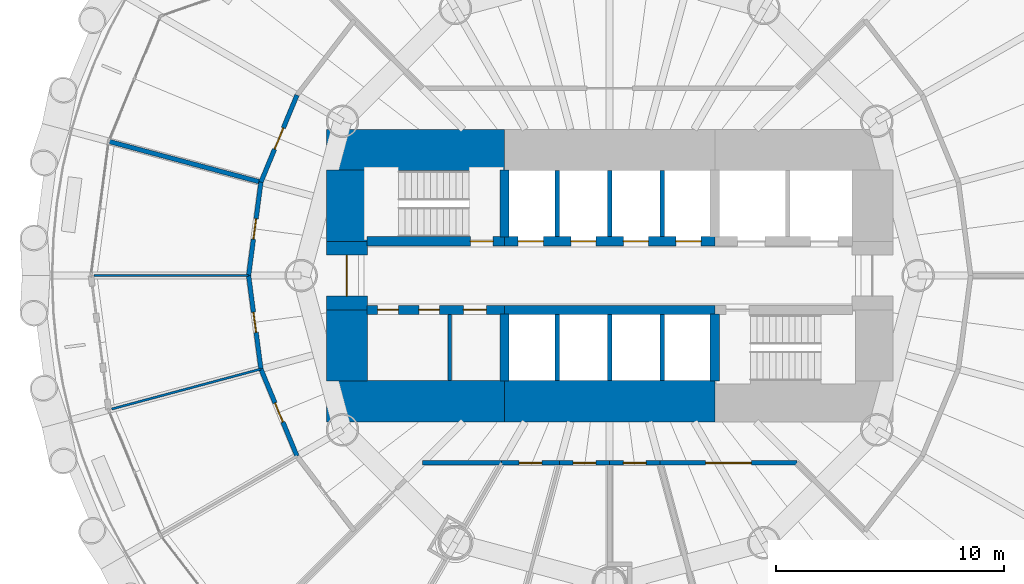
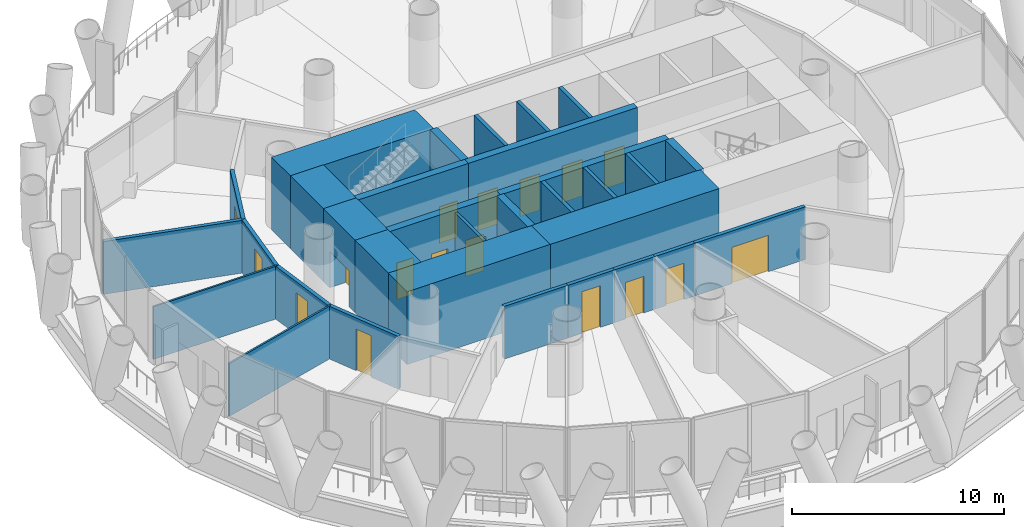
# One storey, part 9 of 14: 32 walls, 17 doors, 17 openings.
"""IFC4 building model written with IfcOpenShell, lengths in metres."""

from ifc_helpers import new_model, si_unit, direction, frame, frame_2d, origin, place, context, subcontext, project, spatial, rectangle, extrude, material, layer, layer_set, type_object, element, fill, save


model = new_model("IFC4")

# Units and contexts
model_context = context("Model", 3, precision=1e-05, world=origin(), true_north=direction((0.0, 1.0)))
body_context = subcontext(model_context, "Body", "Model", "MODEL_VIEW")
ifc_project = project(units=[si_unit("LENGTHUNIT", "METRE"), si_unit("AREAUNIT", "SQUARE_METRE"), si_unit("VOLUMEUNIT", "CUBIC_METRE"), si_unit("PLANEANGLEUNIT", "RADIAN"), si_unit("MASSUNIT", "GRAM", prefix="KILO")], contexts=[model_context])

# Site, building, storey
site_placement = place(None, origin())
site = spatial("IfcSite", under=ifc_project, at=site_placement, CompositionType="ELEMENT")
building_placement = place(site_placement, origin())
building = spatial("IfcBuilding", under=site, at=building_placement, Name="Qaws Media Tower", CompositionType="ELEMENT")
storey_placement = place(building_placement, frame((0.0, 0.0, 59.60009765625)))
storey = spatial("IfcBuildingStorey", under=building, at=storey_placement, Name="L12", CompositionType="ELEMENT", Elevation=59.60009765625)

# Wall, opening, door
ifc_material_1 = material(Name="Concrete C60/75", Category="concrete")
ifc_layer_1 = layer(ifc_material_1, 0.39990234375)
ifc_layer_set_1 = layer_set([ifc_layer_1], Name="Core inner wall 400")
wall_type_1 = type_object("IfcWallType", Name="Core inner wall 400", PredefinedType="SHEAR", material=ifc_layer_set_1)
wall_1_placement = place(storey_placement, frame((49.3798828125, 51.5, 0.0), z_axis=(0.0, 0.0, 1.0), x_axis=(1.0, 0.0, 0.0)))
wall_1 = element("IfcWall", 1, at=wall_1_placement, inside=storey, type_object=wall_type_1, Name="W311 SW4 core wall SPNW L12", PredefinedType="SHEAR", context=body_context, shape_type="SweptSolid", body=[
    extrude(rectangle(XDim=6.02001953125, YDim=0.39990234375, at=frame_2d((3.010009765625, 0.0))), origin(), (0.0, 0.0, 1.0), 4.199951171875),
])
opening_1_placement = place(wall_1_placement, frame((4.52001953125, 0.0, 0.0)))
opening_1 = element("IfcOpeningElement", 2, at=opening_1_placement, cuts=wall_1, Name="Opening D1", PredefinedType="OPENING", context=body_context, shape_type="SweptSolid", body=[
    extrude(rectangle(XDim=1.0, YDim=2.10009765625, at=frame_2d((0.5, 1.050048828125))), frame((0.0, 0.2099609375, 0.0), z_axis=(0.0, -1.0, 0.0), x_axis=(1.0, 0.0, 0.0)), (0.0, 0.0, 1.0), 0.419921875),
])
ifc_material_2 = material(Name="Steel, fire rated", Category="steel")
door_type_1 = type_object("IfcDoorType", Name="Stair door 1000 FD120", OperationType="SINGLE_SWING_LEFT", PredefinedType="DOOR", material=ifc_material_2)
door_1_placement = place(opening_1_placement, origin())
door_1 = element("IfcDoor", 3, at=door_1_placement, inside=storey, type_object=door_type_1, Name="D1 stair S1 door L12 in wall W311", OperationType="SINGLE_SWING_LEFT", OverallHeight=2.10009765625, OverallWidth=1.0, PredefinedType="DOOR", context=body_context, shape_type="SweptSolid", body=[
    extrude(rectangle(XDim=1.0, YDim=2.10009765625, at=frame_2d((0.5, 1.050048828125))), frame((0.0, 0.02490234375, 0.0), z_axis=(0.0, -1.0, 0.0), x_axis=(1.0, 0.0, 0.0)), (0.0, 0.0, 1.0), 0.050048828125),
])
fill(opening_1, door_1)

# Wall, openings, doors
wall_2_placement = place(storey_placement, frame((55.39990234375, 51.5, 0.0), z_axis=(0.0, 0.0, 1.0), x_axis=(1.0, 0.0, 0.0)))
wall_2 = element("IfcWall", 4, at=wall_2_placement, inside=storey, type_object=wall_type_1, Name="W314 SW4 core wall SPN L12", PredefinedType="SHEAR", context=body_context, shape_type="SweptSolid", body=[
    extrude(rectangle(XDim=9.2001953125, YDim=0.39990234375, at=frame_2d((4.60009765625, 0.0))), origin(), (0.0, 0.0, 1.0), 4.199951171875),
])
opening_2_placement = place(wall_2_placement, frame((0.60009765625, 0.0, 0.0)))
opening_2 = element("IfcOpeningElement", 5, at=opening_2_placement, cuts=wall_2, Name="Opening LD", PredefinedType="OPENING", context=body_context, shape_type="SweptSolid", body=[
    extrude(rectangle(XDim=1.10009765625, YDim=2.10009765625, at=frame_2d((0.550048828125, 1.050048828125))), frame((0.0, 0.2099609375, 0.0), z_axis=(0.0, -1.0, 0.0), x_axis=(1.0, 0.0, 0.0)), (0.0, 0.0, 1.0), 0.419921875),
])
opening_3_placement = place(wall_2_placement, frame((2.89990234375, 0.0, 0.0)))
opening_3 = element("IfcOpeningElement", 6, at=opening_3_placement, cuts=wall_2, Name="Opening LD", PredefinedType="OPENING", context=body_context, shape_type="SweptSolid", body=[
    extrude(rectangle(XDim=1.10009765625, YDim=2.10009765625, at=frame_2d((0.550048828125, 1.050048828125))), frame((0.0, 0.2099609375, 0.0), z_axis=(0.0, -1.0, 0.0), x_axis=(1.0, 0.0, 0.0)), (0.0, 0.0, 1.0), 0.419921875),
])
opening_4_placement = place(wall_2_placement, frame((5.199951171875, 0.0, 0.0)))
opening_4 = element("IfcOpeningElement", 7, at=opening_4_placement, cuts=wall_2, Name="Opening LD", PredefinedType="OPENING", context=body_context, shape_type="SweptSolid", body=[
    extrude(rectangle(XDim=1.10009765625, YDim=2.10009765625, at=frame_2d((0.550048828125, 1.050048828125))), frame((0.0, 0.2099609375, 0.0), z_axis=(0.0, -1.0, 0.0), x_axis=(1.0, 0.0, 0.0)), (0.0, 0.0, 1.0), 0.419921875),
])
opening_5_placement = place(wall_2_placement, frame((7.5, 0.0, 0.0)))
opening_5 = element("IfcOpeningElement", 8, at=opening_5_placement, cuts=wall_2, Name="Opening LD", PredefinedType="OPENING", context=body_context, shape_type="SweptSolid", body=[
    extrude(rectangle(XDim=1.10009765625, YDim=2.10009765625, at=frame_2d((0.550048828125, 1.050048828125))), frame((0.0, 0.2099609375, 0.0), z_axis=(0.0, -1.0, 0.0), x_axis=(1.0, 0.0, 0.0)), (0.0, 0.0, 1.0), 0.419921875),
])
ifc_material_3 = material(Name="Steel, fire rated", Category="steel")
door_type_2 = type_object("IfcDoorType", Name="Lift landing door 1100", OperationType="SLIDING_TO_LEFT", PredefinedType="DOOR", material=ifc_material_3)
door_2_placement = place(opening_2_placement, origin())
door_2 = element("IfcDoor", 9, at=door_2_placement, inside=storey, type_object=door_type_2, Name="P1 landing door L12 in wall W314", OperationType="SLIDING_TO_LEFT", OverallHeight=2.10009765625, OverallWidth=1.10009765625, PredefinedType="DOOR", context=body_context, shape_type="SweptSolid", body=[
    extrude(rectangle(XDim=1.10009765625, YDim=2.10009765625, at=frame_2d((0.550048828125, 1.050048828125))), frame((0.0, 0.02490234375, 0.0), z_axis=(0.0, -1.0, 0.0), x_axis=(1.0, 0.0, 0.0)), (0.0, 0.0, 1.0), 0.050048828125),
])
fill(opening_2, door_2)
door_3_placement = place(opening_3_placement, origin())
door_3 = element("IfcDoor", 10, at=door_3_placement, inside=storey, type_object=door_type_2, Name="P2 landing door L12 in wall W314", OperationType="SLIDING_TO_LEFT", OverallHeight=2.10009765625, OverallWidth=1.10009765625, PredefinedType="DOOR", context=body_context, shape_type="SweptSolid", body=[
    extrude(rectangle(XDim=1.10009765625, YDim=2.10009765625, at=frame_2d((0.550048828125, 1.050048828125))), frame((0.0, 0.02490234375, 0.0), z_axis=(0.0, -1.0, 0.0), x_axis=(1.0, 0.0, 0.0)), (0.0, 0.0, 1.0), 0.050048828125),
])
fill(opening_3, door_3)
door_4_placement = place(opening_4_placement, origin())
door_4 = element("IfcDoor", 11, at=door_4_placement, inside=storey, type_object=door_type_2, Name="P3 landing door L12 in wall W314", OperationType="SLIDING_TO_LEFT", OverallHeight=2.10009765625, OverallWidth=1.10009765625, PredefinedType="DOOR", context=body_context, shape_type="SweptSolid", body=[
    extrude(rectangle(XDim=1.10009765625, YDim=2.10009765625, at=frame_2d((0.550048828125, 1.050048828125))), frame((0.0, 0.02490234375, 0.0), z_axis=(0.0, -1.0, 0.0), x_axis=(1.0, 0.0, 0.0)), (0.0, 0.0, 1.0), 0.050048828125),
])
fill(opening_4, door_4)
door_5_placement = place(opening_5_placement, origin())
door_5 = element("IfcDoor", 12, at=door_5_placement, inside=storey, type_object=door_type_2, Name="P4 landing door L12 in wall W314", OperationType="SLIDING_TO_LEFT", OverallHeight=2.10009765625, OverallWidth=1.10009765625, PredefinedType="DOOR", context=body_context, shape_type="SweptSolid", body=[
    extrude(rectangle(XDim=1.10009765625, YDim=2.10009765625, at=frame_2d((0.550048828125, 1.050048828125))), frame((0.0, 0.02490234375, 0.0), z_axis=(0.0, -1.0, 0.0), x_axis=(1.0, 0.0, 0.0)), (0.0, 0.0, 1.0), 0.050048828125),
])
fill(opening_5, door_5)

wall_3_placement = place(storey_placement, frame((49.3798828125, 48.5, 0.0), z_axis=(0.0, 0.0, 1.0), x_axis=(1.0, 0.0, 0.0)))
wall_3 = element("IfcWall", 13, at=wall_3_placement, inside=storey, type_object=wall_type_1, Name="W310 SW4 core wall SPSW L12", PredefinedType="SHEAR", context=body_context, shape_type="SweptSolid", body=[
    extrude(rectangle(XDim=6.02001953125, YDim=0.39990234375, at=frame_2d((3.010009765625, 0.0))), origin(), (0.0, 0.0, 1.0), 4.199951171875),
])
opening_6_placement = place(wall_3_placement, frame((0.469970703125, 0.0, 0.0)))
opening_6 = element("IfcOpeningElement", 14, at=opening_6_placement, cuts=wall_3, Name="Opening D25", PredefinedType="OPENING", context=body_context, shape_type="SweptSolid", body=[
    extrude(rectangle(XDim=0.89990234375, YDim=2.10009765625, at=frame_2d((0.449951171875, 1.050048828125))), frame((0.0, 0.2099609375, 0.0), z_axis=(0.0, -1.0, 0.0), x_axis=(1.0, 0.0, 0.0)), (0.0, 0.0, 1.0), 0.419921875),
])
opening_7_placement = place(wall_3_placement, frame((2.27001953125, 0.0, 0.0)))
opening_7 = element("IfcOpeningElement", 15, at=opening_7_placement, cuts=wall_3, Name="Opening D25", PredefinedType="OPENING", context=body_context, shape_type="SweptSolid", body=[
    extrude(rectangle(XDim=0.89990234375, YDim=2.10009765625, at=frame_2d((0.449951171875, 1.050048828125))), frame((0.0, 0.2099609375, 0.0), z_axis=(0.0, -1.0, 0.0), x_axis=(1.0, 0.0, 0.0)), (0.0, 0.0, 1.0), 0.419921875),
])
opening_8_placement = place(wall_3_placement, frame((4.219970703125, 0.0, 0.0)))
opening_8 = element("IfcOpeningElement", 16, at=opening_8_placement, cuts=wall_3, Name="Opening D4", PredefinedType="OPENING", context=body_context, shape_type="SweptSolid", body=[
    extrude(rectangle(XDim=1.0, YDim=2.10009765625, at=frame_2d((0.5, 1.050048828125))), frame((0.0, 0.2099609375, 0.0), z_axis=(0.0, -1.0, 0.0), x_axis=(1.0, 0.0, 0.0)), (0.0, 0.0, 1.0), 0.419921875),
])
ifc_material_4 = material(Name="Timber veneered", Category="wood")
door_type_3 = type_object("IfcDoorType", Name="Accessible WC door 1000", OperationType="SLIDING_TO_LEFT", PredefinedType="DOOR", material=ifc_material_4)
door_6_placement = place(opening_8_placement, origin())
door_6 = element("IfcDoor", 17, at=door_6_placement, inside=storey, type_object=door_type_3, Name="D4 toilet door 3 L12 in wall W310", OperationType="SLIDING_TO_LEFT", OverallHeight=2.10009765625, OverallWidth=1.0, PredefinedType="DOOR", context=body_context, shape_type="SweptSolid", body=[
    extrude(rectangle(XDim=1.0, YDim=2.10009765625, at=frame_2d((0.5, 1.050048828125))), frame((0.0, 0.02490234375, 0.0), z_axis=(0.0, -1.0, 0.0), x_axis=(1.0, 0.0, 0.0)), (0.0, 0.0, 1.0), 0.050048828125),
])
fill(opening_8, door_6)
ifc_material_5 = material(Name="Steel, fire rated", Category="steel")
door_type_4 = type_object("IfcDoorType", Name="Core service door 900", OperationType="SINGLE_SWING_RIGHT", PredefinedType="DOOR", material=ifc_material_5)
door_7_placement = place(opening_6_placement, origin())
door_7 = element("IfcDoor", 18, at=door_7_placement, inside=storey, type_object=door_type_4, Name="D25 toilet door 1 L12 in wall W310", OperationType="SINGLE_SWING_RIGHT", OverallHeight=2.10009765625, OverallWidth=0.89990234375, PredefinedType="DOOR", context=body_context, shape_type="SweptSolid", body=[
    extrude(rectangle(XDim=0.89990234375, YDim=2.10009765625, at=frame_2d((0.449951171875, 1.050048828125))), frame((0.0, 0.02490234375, 0.0), z_axis=(0.0, -1.0, 0.0), x_axis=(1.0, 0.0, 0.0)), (0.0, 0.0, 1.0), 0.050048828125),
])
fill(opening_6, door_7)
door_8_placement = place(opening_7_placement, origin())
door_8 = element("IfcDoor", 19, at=door_8_placement, inside=storey, type_object=door_type_4, Name="D25 toilet door 2 L12 in wall W310", OperationType="SINGLE_SWING_RIGHT", OverallHeight=2.10009765625, OverallWidth=0.89990234375, PredefinedType="DOOR", context=body_context, shape_type="SweptSolid", body=[
    extrude(rectangle(XDim=0.89990234375, YDim=2.10009765625, at=frame_2d((0.449951171875, 1.050048828125))), frame((0.0, 0.02490234375, 0.0), z_axis=(0.0, -1.0, 0.0), x_axis=(1.0, 0.0, 0.0)), (0.0, 0.0, 1.0), 0.050048828125),
])
fill(opening_7, door_8)

# Walls
wall_4_placement = place(storey_placement, frame((55.39990234375, 48.5, 0.0), z_axis=(0.0, 0.0, 1.0), x_axis=(1.0, 0.0, 0.0)))
element("IfcWall", 20, at=wall_4_placement, inside=storey, type_object=wall_type_1, Name="W313 SW4 core wall SPS L12", PredefinedType="SHEAR", context=body_context, shape_type="SweptSolid", body=[
    extrude(rectangle(XDim=9.2001953125, YDim=0.39990234375, at=frame_2d((4.60009765625, 0.0))), origin(), (0.0, 0.0, 1.0), 4.199951171875),
])
for number, where, z_axis, x_axis, name in (
    (21, (55.39990234375, 51.679931640625, 0.0), (0.0, 0.0, 1.0), (0.0, 1.0, 0.0), "W315 SW4 core wall XNW L12"),
    (22, (55.39990234375, 48.320068359375, 0.0), (0.0, 0.0, 1.0), (0.0, -1.0, 0.0), "W312 SW4 core wall XSW L12"),
    (23, (64.60009765625, 48.320068359375, 0.0), (0.0, 0.0, 1.0), (0.0, -1.0, 0.0), "W316 SW4 core wall XSE L12"),
):
    element("IfcWall", number, at=place(storey_placement, frame(where, z_axis=z_axis, x_axis=x_axis)), inside=storey, type_object=wall_type_1, Name=name, PredefinedType="SHEAR", context=body_context, shape_type="SweptSolid", body=[
        extrude(rectangle(XDim=2.940185546875, YDim=0.39990234375, at=frame_2d((1.47021484375, 0.0))), origin(), (0.0, 0.0, 1.0), 4.199951171875),
    ])
ifc_material_6 = material(Name="Concrete C60/75", Category="concrete")
ifc_layer_2 = layer(ifc_material_6, 1.800048828125)
ifc_layer_set_2 = layer_set([ifc_layer_2], Name="Core wall 1800")
wall_type_2 = type_object("IfcWallType", Name="Core wall 1800", PredefinedType="SHEAR", material=ifc_layer_set_2)
for number, where, z_axis, x_axis, name in (
    (24, (47.60009765625, 55.5, 0.0), (0.0, 0.0, 1.0), (1.0, 0.0, 0.0), "W399 SW11 core wall NW L12"),
    (25, (47.60009765625, 44.5, 0.0), (0.0, 0.0, 1.0), (1.0, 0.0, 0.0), "W398 SW11 core wall SW L12"),
):
    element("IfcWall", number, at=place(storey_placement, frame(where, z_axis=z_axis, x_axis=x_axis)), inside=storey, type_object=wall_type_2, Name=name, PredefinedType="SHEAR", context=body_context, shape_type="SweptSolid", body=[
        extrude(rectangle(XDim=7.7998046875, YDim=1.800048828125, at=frame_2d((3.89990234375, 0.0))), origin(), (0.0, 0.0, 1.0), 4.199951171875),
    ])
wall_5_placement = place(storey_placement, frame((55.39990234375, 44.5, 0.0), z_axis=(0.0, 0.0, 1.0), x_axis=(1.0, 0.0, 0.0)))
element("IfcWall", 26, at=wall_5_placement, inside=storey, type_object=wall_type_2, Name="W403 SW11 core wall S L12", PredefinedType="SHEAR", context=body_context, shape_type="SweptSolid", body=[
    extrude(rectangle(XDim=9.2001953125, YDim=1.800048828125, at=frame_2d((4.60009765625, 0.0))), origin(), (0.0, 0.0, 1.0), 4.199951171875),
])
wall_6_placement = place(storey_placement, frame((48.5, 45.3798828125, 0.0), z_axis=(0.0, 0.0, 1.0), x_axis=(0.0, 1.0, 0.0)))
element("IfcWall", 27, at=wall_6_placement, inside=storey, type_object=wall_type_2, Name="W400 SW11 core wall WS L12", PredefinedType="SHEAR", context=body_context, shape_type="SweptSolid", body=[
    extrude(rectangle(XDim=3.1201171875, YDim=1.800048828125, at=frame_2d((1.56005859375, 0.0))), origin(), (0.0, 0.0, 1.0), 4.199951171875),
])

# Wall, opening, door
wall_7_placement = place(storey_placement, frame((48.5, 48.5, 0.0), z_axis=(0.0, 0.0, 1.0), x_axis=(0.0, 1.0, 0.0)))
wall_7 = element("IfcWall", 28, at=wall_7_placement, inside=storey, type_object=wall_type_2, Name="W401 SW11 core wall W L12", PredefinedType="SHEAR", context=body_context, shape_type="SweptSolid", body=[
    extrude(rectangle(XDim=3.0, YDim=1.800048828125, at=frame_2d((1.5, 0.0))), origin(), (0.0, 0.0, 1.0), 4.199951171875),
])
opening_9_placement = place(wall_7_placement, frame((0.60009765625, 0.0, 0.0)))
opening_9 = element("IfcOpeningElement", 29, at=opening_9_placement, cuts=wall_7, Name="Opening D2", PredefinedType="OPENING", context=body_context, shape_type="SweptSolid", body=[
    extrude(rectangle(XDim=1.800048828125, YDim=2.10009765625, at=frame_2d((0.89990234375, 1.050048828125))), frame((0.0, 0.909912109375, 0.0), z_axis=(0.0, -1.0, 0.0), x_axis=(1.0, 0.0, 0.0)), (0.0, 0.0, 1.0), 1.820068359375),
])
ifc_material_7 = material(Name="Steel and glass, fire rated", Category="steel")
door_type_5 = type_object("IfcDoorType", Name="Lobby door pair 1800 FD60", OperationType="DOUBLE_DOOR_DOUBLE_SWING", PredefinedType="DOOR", material=ifc_material_7)
door_9_placement = place(opening_9_placement, origin())
door_9 = element("IfcDoor", 30, at=door_9_placement, inside=storey, type_object=door_type_5, Name="D2 core lobby door W L12 in wall W401", OperationType="DOUBLE_DOOR_DOUBLE_SWING", OverallHeight=2.10009765625, OverallWidth=1.800048828125, PredefinedType="DOOR", context=body_context, shape_type="SweptSolid", body=[
    extrude(rectangle(XDim=1.800048828125, YDim=2.10009765625, at=frame_2d((0.89990234375, 1.050048828125))), frame((0.0, 0.02490234375, 0.0), z_axis=(0.0, -1.0, 0.0), x_axis=(1.0, 0.0, 0.0)), (0.0, 0.0, 1.0), 0.050048828125),
])
fill(opening_9, door_9)

# Walls
wall_8_placement = place(storey_placement, frame((48.5, 51.5, 0.0), z_axis=(0.0, 0.0, 1.0), x_axis=(0.0, 1.0, 0.0)))
element("IfcWall", 31, at=wall_8_placement, inside=storey, type_object=wall_type_2, Name="W402 SW11 core wall WN L12", PredefinedType="SHEAR", context=body_context, shape_type="SweptSolid", body=[
    extrude(rectangle(XDim=3.1201171875, YDim=1.800048828125, at=frame_2d((1.56005859375, 0.0))), origin(), (0.0, 0.0, 1.0), 4.199951171875),
])
ifc_material_8 = material(Name="Gypsum board on 70 metal studs, single layer each side", Category="gypsum")
ifc_layer_3 = layer(ifc_material_8, 0.10009765625)
ifc_layer_set_3 = layer_set([ifc_layer_3], Name="Office stud partition 100")
wall_type_3 = type_object("IfcWallType", Name="Office stud partition 100", PredefinedType="PARTITIONING", material=ifc_layer_set_3)
for number, where, z_axis, x_axis, name in (
    (32, (44.199951171875, 50.0, 0.0), (0.0, 0.0, 1.0), (-1.0, 0.0, 0.0), "W640 IW4 partition L12"),
    (33, (44.73828125, 45.91064453125, 0.0), (0.0, 0.0, 1.0), (-0.965919516119, -0.258842593831, 0.0), "W641 IW4 partition L12"),
):
    element("IfcWall", number, at=place(storey_placement, frame(where, z_axis=z_axis, x_axis=x_axis)), inside=storey, type_object=wall_type_3, Name=name, PredefinedType="PARTITIONING", context=body_context, shape_type="SweptSolid", body=[
        extrude(rectangle(XDim=6.760009765625, YDim=0.10009765625, at=frame_2d((3.3798828125, 0.0))), origin(), (0.0, 0.0, 1.0), 3.039794921875),
    ])

# Wall, opening, door
ifc_material_9 = material(Name="Gypsum board on galvanised metal studs, acoustic double stud, deflection head", Category="gypsum")
ifc_layer_4 = layer(ifc_material_9, 0.199951171875)
ifc_layer_set_4 = layer_set([ifc_layer_4], Name="Room partition 200")
wall_type_4 = type_object("IfcWallType", Name="Room partition 200", PredefinedType="PARTITIONING", material=ifc_layer_set_4)
wall_9_placement = place(storey_placement, frame((46.31689453125, 42.10009765625, 0.0), z_axis=(0.0, 0.0, 1.0), x_axis=(-0.382731667114, 0.923859551549, 0.0)))
wall_9 = element("IfcWall", 34, at=wall_9_placement, inside=storey, type_object=wall_type_4, Name="W946 IW3 partition L12", PredefinedType="PARTITIONING", context=body_context, shape_type="SweptSolid", body=[
    extrude(rectangle(XDim=4.12451171875, YDim=0.199951171875, at=frame_2d((2.062255859375, 0.0))), origin(), (0.0, 0.0, 1.0), 3.039794921875),
])
opening_10_placement = place(wall_9_placement, frame((1.6123046875, 0.0, 0.0)))
opening_10 = element("IfcOpeningElement", 35, at=opening_10_placement, cuts=wall_9, Name="Opening D12", PredefinedType="OPENING", context=body_context, shape_type="SweptSolid", body=[
    extrude(rectangle(XDim=0.89990234375, YDim=2.39990234375, at=frame_2d((0.449951171875, 1.199951171875))), frame((0.0, 0.10986328125, 0.0), z_axis=(0.0, -1.0, 0.0), x_axis=(1.0, 0.0, 0.0)), (0.0, 0.0, 1.0), 0.219970703125),
])
ifc_material_10 = material(Name="Timber veneered, full height", Category="wood")
door_type_6 = type_object("IfcDoorType", Name="Office door 900x2400", OperationType="SINGLE_SWING_LEFT", PredefinedType="DOOR", material=ifc_material_10)
door_10_placement = place(opening_10_placement, origin())
door_10 = element("IfcDoor", 36, at=door_10_placement, inside=storey, type_object=door_type_6, Name="D12 Editor's office door L12 in wall W946", OperationType="SINGLE_SWING_LEFT", OverallHeight=2.39990234375, OverallWidth=0.89990234375, PredefinedType="DOOR", context=body_context, shape_type="SweptSolid", body=[
    extrude(rectangle(XDim=0.89990234375, YDim=2.39990234375, at=frame_2d((0.449951171875, 1.199951171875))), frame((0.0, 0.02490234375, 0.0), z_axis=(0.0, -1.0, 0.0), x_axis=(1.0, 0.0, 0.0)), (0.0, 0.0, 1.0), 0.050048828125),
])
fill(opening_10, door_10)

wall_10_placement = place(storey_placement, frame((44.73828125, 45.91064453125, 0.0), z_axis=(0.0, 0.0, 1.0), x_axis=(-0.130515758099, 0.991446234996, 0.0)))
wall_10 = element("IfcWall", 37, at=wall_10_placement, inside=storey, type_object=wall_type_4, Name="W943 IW3 partition L12", PredefinedType="PARTITIONING", context=body_context, shape_type="SweptSolid", body=[
    extrude(rectangle(XDim=4.124755859375, YDim=0.199951171875, at=frame_2d((2.0625, 0.0))), origin(), (0.0, 0.0, 1.0), 3.039794921875),
])
opening_11_placement = place(wall_10_placement, frame((1.6123046875, 0.0, 0.0)))
opening_11 = element("IfcOpeningElement", 38, at=opening_11_placement, cuts=wall_10, Name="Opening D12", PredefinedType="OPENING", context=body_context, shape_type="SweptSolid", body=[
    extrude(rectangle(XDim=0.89990234375, YDim=2.39990234375, at=frame_2d((0.449951171875, 1.199951171875))), frame((0.0, 0.10986328125, 0.0), z_axis=(0.0, -1.0, 0.0), x_axis=(1.0, 0.0, 0.0)), (0.0, 0.0, 1.0), 0.219970703125),
])
door_11_placement = place(opening_11_placement, origin())
door_11 = element("IfcDoor", 39, at=door_11_placement, inside=storey, type_object=door_type_6, Name="D12 Editor's office door L12 in wall W943", OperationType="SINGLE_SWING_LEFT", OverallHeight=2.39990234375, OverallWidth=0.89990234375, PredefinedType="DOOR", context=body_context, shape_type="SweptSolid", body=[
    extrude(rectangle(XDim=0.89990234375, YDim=2.39990234375, at=frame_2d((0.449951171875, 1.199951171875))), frame((0.0, 0.02490234375, 0.0), z_axis=(0.0, -1.0, 0.0), x_axis=(1.0, 0.0, 0.0)), (0.0, 0.0, 1.0), 0.050048828125),
])
fill(opening_11, door_11)

wall_11_placement = place(storey_placement, frame((44.199951171875, 50.0, 0.0), z_axis=(0.0, 0.0, 1.0), x_axis=(0.130515758099, 0.991446234996, 0.0)))
wall_11 = element("IfcWall", 40, at=wall_11_placement, inside=storey, type_object=wall_type_4, Name="W941 IW3 partition L12", PredefinedType="PARTITIONING", context=body_context, shape_type="SweptSolid", body=[
    extrude(rectangle(XDim=4.124755859375, YDim=0.199951171875, at=frame_2d((2.0625, 0.0))), origin(), (0.0, 0.0, 1.0), 3.039794921875),
])
opening_12_placement = place(wall_11_placement, frame((1.6123046875, 0.0, 0.0)))
opening_12 = element("IfcOpeningElement", 41, at=opening_12_placement, cuts=wall_11, Name="Opening D12", PredefinedType="OPENING", context=body_context, shape_type="SweptSolid", body=[
    extrude(rectangle(XDim=0.89990234375, YDim=2.39990234375, at=frame_2d((0.449951171875, 1.199951171875))), frame((0.0, 0.10986328125, 0.0), z_axis=(0.0, -1.0, 0.0), x_axis=(1.0, 0.0, 0.0)), (0.0, 0.0, 1.0), 0.219970703125),
])
door_12_placement = place(opening_12_placement, origin())
door_12 = element("IfcDoor", 42, at=door_12_placement, inside=storey, type_object=door_type_6, Name="D12 Editor's office door L12 in wall W941", OperationType="SINGLE_SWING_LEFT", OverallHeight=2.39990234375, OverallWidth=0.89990234375, PredefinedType="DOOR", context=body_context, shape_type="SweptSolid", body=[
    extrude(rectangle(XDim=0.89990234375, YDim=2.39990234375, at=frame_2d((0.449951171875, 1.199951171875))), frame((0.0, 0.02490234375, 0.0), z_axis=(0.0, -1.0, 0.0), x_axis=(1.0, 0.0, 0.0)), (0.0, 0.0, 1.0), 0.050048828125),
])
fill(opening_12, door_12)

wall_12_placement = place(storey_placement, frame((44.73828125, 54.08935546875, 0.0), z_axis=(0.0, 0.0, 1.0), x_axis=(0.382731667114, 0.923859551549, 0.0)))
wall_12 = element("IfcWall", 43, at=wall_12_placement, inside=storey, type_object=wall_type_4, Name="W944 IW3 partition L12", PredefinedType="PARTITIONING", context=body_context, shape_type="SweptSolid", body=[
    extrude(rectangle(XDim=4.12451171875, YDim=0.199951171875, at=frame_2d((2.062255859375, 0.0))), origin(), (0.0, 0.0, 1.0), 3.039794921875),
])
opening_13_placement = place(wall_12_placement, frame((1.562255859375, 0.0, 0.0)))
opening_13 = element("IfcOpeningElement", 44, at=opening_13_placement, cuts=wall_12, Name="Opening D5", PredefinedType="OPENING", context=body_context, shape_type="SweptSolid", body=[
    extrude(rectangle(XDim=1.0, YDim=2.10009765625, at=frame_2d((0.5, 1.050048828125))), frame((0.0, 0.10986328125, 0.0), z_axis=(0.0, -1.0, 0.0), x_axis=(1.0, 0.0, 0.0)), (0.0, 0.0, 1.0), 0.219970703125),
])
ifc_material_11 = material(Name="Timber veneered, acoustic seal", Category="wood")
door_type_7 = type_object("IfcDoorType", Name="Room door 1000", OperationType="SINGLE_SWING_LEFT", PredefinedType="DOOR", material=ifc_material_11)
door_13_placement = place(opening_13_placement, origin())
door_13 = element("IfcDoor", 45, at=door_13_placement, inside=storey, type_object=door_type_7, Name="D5 News meeting room door L12 in wall W944", OperationType="SINGLE_SWING_LEFT", OverallHeight=2.10009765625, OverallWidth=1.0, PredefinedType="DOOR", context=body_context, shape_type="SweptSolid", body=[
    extrude(rectangle(XDim=1.0, YDim=2.10009765625, at=frame_2d((0.5, 1.050048828125))), frame((0.0, 0.02490234375, 0.0), z_axis=(0.0, -1.0, 0.0), x_axis=(1.0, 0.0, 0.0)), (0.0, 0.0, 1.0), 0.050048828125),
])
fill(opening_13, door_13)

wall_13_placement = place(storey_placement, frame((68.199951171875, 41.800048828125, 0.0), z_axis=(0.0, 0.0, 1.0), x_axis=(-1.0, 0.0, 0.0)))
wall_13 = element("IfcWall", 46, at=wall_13_placement, inside=storey, type_object=wall_type_4, Name="W1052 IW3 partition L12", PredefinedType="PARTITIONING", context=body_context, shape_type="SweptSolid", body=[
    extrude(rectangle(XDim=6.002685546875, YDim=0.199951171875, at=frame_2d((3.00146484375, 0.0))), origin(), (0.0, 0.0, 1.0), 3.039794921875),
])
opening_14_placement = place(wall_13_placement, frame((2.00146484375, 0.0, 0.0)))
opening_14 = element("IfcOpeningElement", 47, at=opening_14_placement, cuts=wall_13, Name="Opening D6", PredefinedType="OPENING", context=body_context, shape_type="SweptSolid", body=[
    extrude(rectangle(XDim=2.0, YDim=2.10009765625, at=frame_2d((1.0, 1.050048828125))), frame((0.0, 0.10986328125, 0.0), z_axis=(0.0, -1.0, 0.0), x_axis=(1.0, 0.0, 0.0)), (0.0, 0.0, 1.0), 0.219970703125),
])
ifc_material_12 = material(Name="Steel, acoustic, fire rated", Category="steel")
door_type_8 = type_object("IfcDoorType", Name="Room door pair 2000", OperationType="DOUBLE_DOOR_DOUBLE_SWING", PredefinedType="DOOR", material=ifc_material_12)
door_14_placement = place(opening_14_placement, origin())
door_14 = element("IfcDoor", 48, at=door_14_placement, inside=storey, type_object=door_type_8, Name="D6 Newsroom door L12 in wall W1052", OperationType="DOUBLE_DOOR_DOUBLE_SWING", OverallHeight=2.10009765625, OverallWidth=2.0, PredefinedType="DOOR", context=body_context, shape_type="SweptSolid", body=[
    extrude(rectangle(XDim=2.0, YDim=2.10009765625, at=frame_2d((1.0, 1.050048828125))), frame((0.0, 0.02490234375, 0.0), z_axis=(0.0, -1.0, 0.0), x_axis=(1.0, 0.0, 0.0)), (0.0, 0.0, 1.0), 0.050048828125),
])
fill(opening_14, door_14)

wall_14_placement = place(storey_placement, frame((62.197265625, 41.800048828125, 0.0), z_axis=(0.0, 0.0, 1.0), x_axis=(-1.0, 0.0, 0.0)))
wall_14 = element("IfcWall", 49, at=wall_14_placement, inside=storey, type_object=wall_type_4, Name="W1051 IW3 partition L12", PredefinedType="PARTITIONING", context=body_context, shape_type="SweptSolid", body=[
    extrude(rectangle(XDim=2.197265625, YDim=0.199951171875, at=frame_2d((1.0986328125, 0.0))), origin(), (0.0, 0.0, 1.0), 3.039794921875),
])
opening_15_placement = place(wall_14_placement, frame((0.5986328125, 0.0, 0.0)))
opening_15 = element("IfcOpeningElement", 50, at=opening_15_placement, cuts=wall_14, Name="Opening D5", PredefinedType="OPENING", context=body_context, shape_type="SweptSolid", body=[
    extrude(rectangle(XDim=1.0, YDim=2.10009765625, at=frame_2d((0.5, 1.050048828125))), frame((0.0, 0.10986328125, 0.0), z_axis=(0.0, -1.0, 0.0), x_axis=(1.0, 0.0, 0.0)), (0.0, 0.0, 1.0), 0.219970703125),
])
door_15_placement = place(opening_15_placement, origin())
door_15 = element("IfcDoor", 51, at=door_15_placement, inside=storey, type_object=door_type_7, Name="D5 Ladies toilets door L12 in wall W1051", OperationType="SINGLE_SWING_LEFT", OverallHeight=2.10009765625, OverallWidth=1.0, PredefinedType="DOOR", context=body_context, shape_type="SweptSolid", body=[
    extrude(rectangle(XDim=1.0, YDim=2.10009765625, at=frame_2d((0.5, 1.050048828125))), frame((0.0, 0.02490234375, 0.0), z_axis=(0.0, -1.0, 0.0), x_axis=(1.0, 0.0, 0.0)), (0.0, 0.0, 1.0), 0.050048828125),
])
fill(opening_15, door_15)

wall_15_placement = place(storey_placement, frame((60.0, 41.800048828125, 0.0), z_axis=(0.0, 0.0, 1.0), x_axis=(-1.0, 0.0, 0.0)))
wall_15 = element("IfcWall", 52, at=wall_15_placement, inside=storey, type_object=wall_type_4, Name="W972 IW3 partition L12", PredefinedType="PARTITIONING", context=body_context, shape_type="SweptSolid", body=[
    extrude(rectangle(XDim=2.197265625, YDim=0.199951171875, at=frame_2d((1.0986328125, 0.0))), origin(), (0.0, 0.0, 1.0), 3.039794921875),
])
opening_16_placement = place(wall_15_placement, frame((0.5986328125, 0.0, 0.0)))
opening_16 = element("IfcOpeningElement", 53, at=opening_16_placement, cuts=wall_15, Name="Opening D5", PredefinedType="OPENING", context=body_context, shape_type="SweptSolid", body=[
    extrude(rectangle(XDim=1.0, YDim=2.10009765625, at=frame_2d((0.5, 1.050048828125))), frame((0.0, 0.10986328125, 0.0), z_axis=(0.0, -1.0, 0.0), x_axis=(1.0, 0.0, 0.0)), (0.0, 0.0, 1.0), 0.219970703125),
])
door_16_placement = place(opening_16_placement, origin())
door_16 = element("IfcDoor", 54, at=door_16_placement, inside=storey, type_object=door_type_7, Name="D5 Gents toilets door L12 in wall W972", OperationType="SINGLE_SWING_LEFT", OverallHeight=2.10009765625, OverallWidth=1.0, PredefinedType="DOOR", context=body_context, shape_type="SweptSolid", body=[
    extrude(rectangle(XDim=1.0, YDim=2.10009765625, at=frame_2d((0.5, 1.050048828125))), frame((0.0, 0.02490234375, 0.0), z_axis=(0.0, -1.0, 0.0), x_axis=(1.0, 0.0, 0.0)), (0.0, 0.0, 1.0), 0.050048828125),
])
fill(opening_16, door_16)

wall_16_placement = place(storey_placement, frame((57.802734375, 41.800048828125, 0.0), z_axis=(0.0, 0.0, 1.0), x_axis=(-1.0, 0.0, 0.0)))
wall_16 = element("IfcWall", 55, at=wall_16_placement, inside=storey, type_object=wall_type_4, Name="W971 IW3 partition L12", PredefinedType="PARTITIONING", context=body_context, shape_type="SweptSolid", body=[
    extrude(rectangle(XDim=2.537109375, YDim=0.199951171875, at=frame_2d((1.2685546875, 0.0))), origin(), (0.0, 0.0, 1.0), 3.039794921875),
])
opening_17_placement = place(wall_16_placement, frame((0.7685546875, 0.0, 0.0)))
opening_17 = element("IfcOpeningElement", 56, at=opening_17_placement, cuts=wall_16, Name="Opening D13", PredefinedType="OPENING", context=body_context, shape_type="SweptSolid", body=[
    extrude(rectangle(XDim=1.0, YDim=2.39990234375, at=frame_2d((0.5, 1.199951171875))), frame((0.0, 0.10986328125, 0.0), z_axis=(0.0, -1.0, 0.0), x_axis=(1.0, 0.0, 0.0)), (0.0, 0.0, 1.0), 0.219970703125),
])
ifc_material_13 = material(Name="Frameless toughened glass, acoustic seals", Category="glass")
door_type_9 = type_object("IfcDoorType", Name="Glazed meeting room door 1000x2400", OperationType="SINGLE_SWING_LEFT", PredefinedType="DOOR", material=ifc_material_13)
door_17_placement = place(opening_17_placement, origin())
door_17 = element("IfcDoor", 57, at=door_17_placement, inside=storey, type_object=door_type_9, Name="D13 Quiet room door L12 in wall W971", OperationType="SINGLE_SWING_LEFT", OverallHeight=2.39990234375, OverallWidth=1.0, PredefinedType="DOOR", context=body_context, shape_type="SweptSolid", body=[
    extrude(rectangle(XDim=1.0, YDim=2.39990234375, at=frame_2d((0.5, 1.199951171875))), frame((0.0, 0.02490234375, 0.0), z_axis=(0.0, -1.0, 0.0), x_axis=(1.0, 0.0, 0.0)), (0.0, 0.0, 1.0), 0.050048828125),
])
fill(opening_17, door_17)

# Walls
wall_17_placement = place(storey_placement, frame((55.265625, 41.800048828125, 0.0), z_axis=(0.0, 0.0, 1.0), x_axis=(-1.0, 0.0, 0.0)))
element("IfcWall", 58, at=wall_17_placement, inside=storey, type_object=wall_type_4, Name="W968 IW3 partition L12", PredefinedType="PARTITIONING", context=body_context, shape_type="SweptSolid", body=[
    extrude(rectangle(XDim=3.465576171875, YDim=0.199951171875, at=frame_2d((1.73291015625, 0.0))), origin(), (0.0, 0.0, 1.0), 3.039794921875),
])
wall_18_placement = place(storey_placement, frame((44.73828125, 54.08935546875, 0.0), z_axis=(0.0, 0.0, 1.0), x_axis=(-0.965929465483, 0.258805463063, 0.0)))
element("IfcWall", 59, at=wall_18_placement, inside=storey, type_object=wall_type_4, Name="W1055 IW3 partition L12", PredefinedType="PARTITIONING", context=body_context, shape_type="SweptSolid", body=[
    extrude(rectangle(XDim=6.85986328125, YDim=0.199951171875, at=frame_2d((3.429931640625, 0.0))), origin(), (0.0, 0.0, 1.0), 3.039794921875),
])
ifc_material_14 = material(Name="Fire-rated gypsum board shaft wall on galvanised metal studs, deflection head", Category="gypsum")
ifc_layer_5 = layer(ifc_material_14, 0.199951171875)
ifc_layer_set_5 = layer_set([ifc_layer_5], Name="Shaft wall 200")
wall_type_5 = type_object("IfcWallType", Name="Shaft wall 200", PredefinedType="PARTITIONING", material=ifc_layer_set_5)
for number, where, z_axis, x_axis, name in (
    (60, (57.699951171875, 51.699951171875, 0.0), (0.0, 0.0, 1.0), (0.0, 1.0, 0.0), "W1842 IW1 shaft wall N1 L12"),
    (61, (60.0, 51.699951171875, 0.0), (0.0, 0.0, 1.0), (0.0, 1.0, 0.0), "W1843 IW1 shaft wall N2 L12"),
    (62, (62.300048828125, 51.699951171875, 0.0), (0.0, 0.0, 1.0), (0.0, 1.0, 0.0), "W1844 IW1 shaft wall N3 L12"),
    (63, (57.699951171875, 45.39990234375, 0.0), (0.0, 0.0, 1.0), (0.0, 1.0, 0.0), "W1835 IW1 shaft wall S1 L12"),
    (64, (60.0, 45.39990234375, 0.0), (0.0, 0.0, 1.0), (0.0, 1.0, 0.0), "W1837 IW1 shaft wall S2 L12"),
    (65, (62.300048828125, 45.39990234375, 0.0), (0.0, 0.0, 1.0), (0.0, 1.0, 0.0), "W1839 IW1 shaft wall S3 L12"),
):
    element("IfcWall", number, at=place(storey_placement, frame(where, z_axis=z_axis, x_axis=x_axis)), inside=storey, type_object=wall_type_5, Name=name, PredefinedType="PARTITIONING", context=body_context, shape_type="SweptSolid", body=[
        extrude(rectangle(XDim=2.900146484375, YDim=0.199951171875, at=frame_2d((1.4501953125, 0.0))), origin(), (0.0, 0.0, 1.0), 4.199951171875),
    ])
ifc_material_15 = material(Name="Gypsum board on galvanised metal studs, deflection head", Category="gypsum")
ifc_layer_6 = layer(ifc_material_15, 0.14990234375)
ifc_layer_set_6 = layer_set([ifc_layer_6], Name="WC partition 150")
wall_type_6 = type_object("IfcWallType", Name="WC partition 150", PredefinedType="PARTITIONING", material=ifc_layer_set_6)
wall_19_placement = place(storey_placement, frame((53.0, 45.39990234375, 0.0), z_axis=(0.0, 0.0, 1.0), x_axis=(0.0, 1.0, 0.0)))
element("IfcWall", 66, at=wall_19_placement, inside=storey, type_object=wall_type_6, Name="W1906 IW2 toilet partition 1 L12", PredefinedType="PARTITIONING", context=body_context, shape_type="SweptSolid", body=[
    extrude(rectangle(XDim=2.900146484375, YDim=0.14990234375, at=frame_2d((1.4501953125, 0.0))), origin(), (0.0, 0.0, 1.0), 4.039794921875),
])

save(model, "model.ifc")
